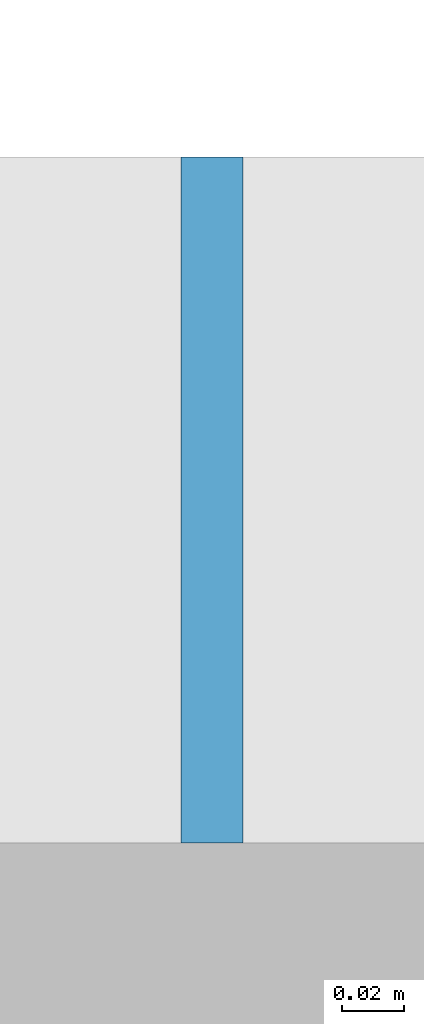
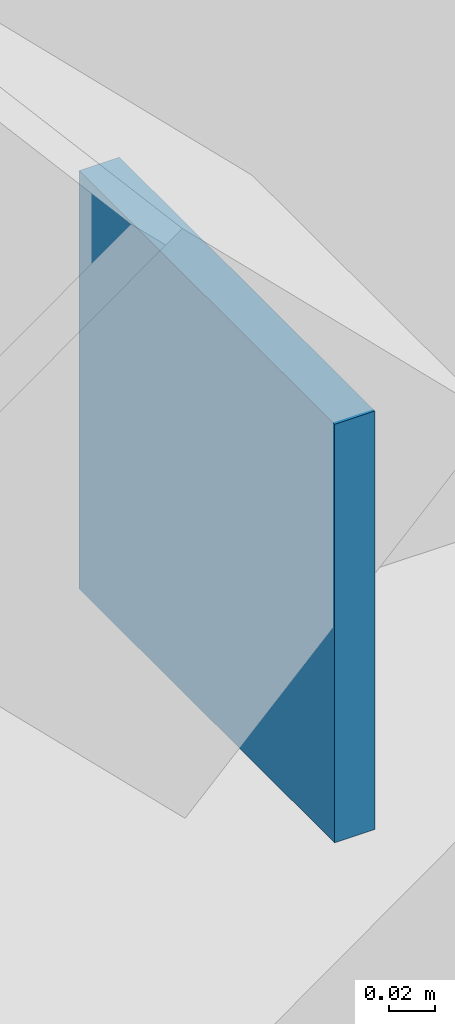
# One storey, part 71 of 85: 1 plate.
"""IFC4 building model written with IfcOpenShell, lengths in metres."""

from ifc_helpers import new_model, si_unit, derived_unit, direction, frame, origin, origin_2d, place, context, subcontext, project, spatial, rectangle, extrude, material, layer, layer_set, type_object, element, save


model = new_model("IFC4")

# Units and contexts
model_context = context("Model", 3, precision=1e-05, world=origin(), true_north=direction((0.0, 1.0)))
body_context = subcontext(model_context, "Body", "Model", "MODEL_VIEW")
ifc_project = project(units=[si_unit("LENGTHUNIT", "METRE"), si_unit("AREAUNIT", "SQUARE_METRE"), si_unit("VOLUMEUNIT", "CUBIC_METRE"), si_unit("PLANEANGLEUNIT", "RADIAN"), si_unit("MASSUNIT", "GRAM", prefix="KILO"), derived_unit("THERMALTRANSMITTANCEUNIT", [(si_unit("POWERUNIT", "WATT"), 1), (si_unit("LENGTHUNIT", "METRE"), -2), (si_unit("THERMODYNAMICTEMPERATUREUNIT", "KELVIN"), -1)])], contexts=[model_context])

# Site, building, storey
site_placement = place(None, origin())
site = spatial("IfcSite", under=ifc_project, at=site_placement, CompositionType="ELEMENT")
building_placement = place(site_placement, origin())
building = spatial("IfcBuilding", under=site, at=building_placement, Name="Nallur Shell Playhouse", CompositionType="ELEMENT")
storey_placement = place(building_placement, frame((0.0, 0.0, 19.800048828125)))
storey = spatial("IfcBuildingStorey", under=building, at=storey_placement, Name="L05", CompositionType="ELEMENT", Elevation=19.800048828125)

# Plate
ifc_material = material(Name="Steel E350", Category="steel")
ifc_layer = layer(ifc_material, 0.02001953125)
ifc_layer_set = layer_set([ifc_layer], Name="Steel E350")
plate_type = type_object("IfcPlateType", Name="PT-ENDCAP-20", PredefinedType="SHEET", material=ifc_layer_set)
plate_placement = place(storey_placement, frame((95.20703125, 83.0, 0.03271484375), z_axis=(0.0, 0.0, 1.0), x_axis=(1.0, 0.0, 0.0)))
element("IfcPlate", 1, at=plate_placement, inside=storey, type_object=plate_type, Name="Hollow end cap EC-BR-FT-L05-040-0", PredefinedType="SHEET", context=body_context, shape_type="SweptSolid", body=[
    extrude(rectangle(XDim=0.02001953125, YDim=0.219970703125, at=origin_2d()), origin(), (0.0, 0.0, 1.0), 0.219970703125),
])

save(model, "model.ifc")
